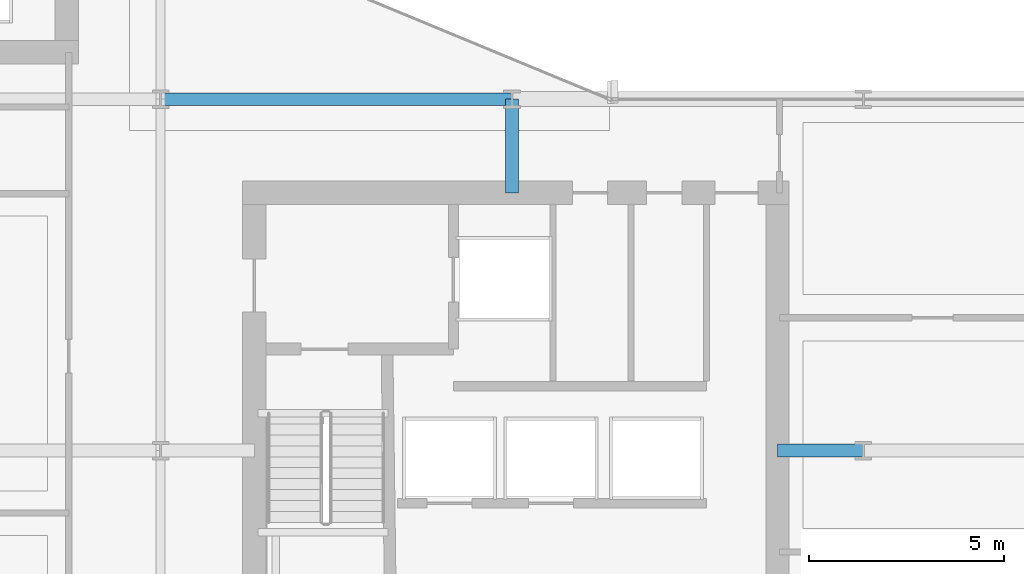
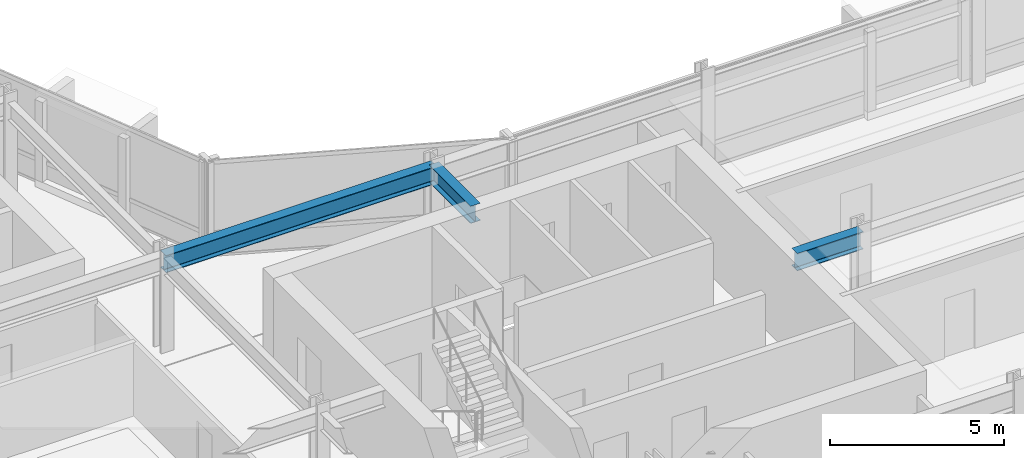
# One storey, part 14 of 34: 3 beams.
"""IFC4 building model written with IfcOpenShell, lengths in metres."""

from ifc_helpers import new_model, si_unit, direction, frame, origin, origin_2d, place, context, subcontext, project, spatial, i_section, extrude, material, material_profile, profile_set, type_object, element, save


model = new_model("IFC4")

# Units and contexts
model_context = context("Model", 3, precision=1e-05, world=origin(), true_north=direction((0.0, 1.0)))
body_context = subcontext(model_context, "Body", "Model", "MODEL_VIEW")
ifc_project = project(units=[si_unit("LENGTHUNIT", "METRE"), si_unit("AREAUNIT", "SQUARE_METRE"), si_unit("VOLUMEUNIT", "CUBIC_METRE"), si_unit("PLANEANGLEUNIT", "RADIAN"), si_unit("MASSUNIT", "GRAM", prefix="KILO")], contexts=[model_context])

# Site, building, storey
site_placement = place(None, origin())
site = spatial("IfcSite", under=ifc_project, at=site_placement, CompositionType="ELEMENT")
building_placement = place(site_placement, origin())
building = spatial("IfcBuilding", under=site, at=building_placement, Name="Solvaryn Broadcast Tower", CompositionType="ELEMENT")
storey_placement = place(building_placement, frame((0.0, 0.0, 96.5)))
storey = spatial("IfcBuildingStorey", under=building, at=storey_placement, Name="L23", CompositionType="ELEMENT", Elevation=96.5)

# Beams
ifc_material = material(Name="Steel ASTM A992 Grade 50", Category="steel")
ifc_material_profile = material_profile(ifc_material, i_section(OverallWidth=0.323974609375, OverallDepth=0.611083984375, WebThickness=0.0126953125, FlangeThickness=0.01904296875, FilletRadius=0.014892578125, at=origin_2d()))
ifc_profile_set = profile_set([ifc_material_profile], Name="Steel ASTM A992 Grade 50")
beam_type = type_object("IfcBeamType", Name="BM-B1-W24X104", PredefinedType="BEAM", material=ifc_profile_set)
beam_1_placement = place(storey_placement, frame((27.0, 27.0, 3.064453125), z_axis=(1.0, 0.0, 0.0), x_axis=(0.0, 1.0, 0.0)))
element("IfcBeam", 1, at=beam_1_placement, inside=storey, type_object=beam_type, Name="L23 Primary Beam X (27-36 @ Y=27)", PredefinedType="BEAM", context=body_context, shape_type="SweptSolid", body=[
    extrude(i_section(OverallWidth=0.323974609375, OverallDepth=0.611083984375, WebThickness=0.0126953125, FlangeThickness=0.01904296875, FilletRadius=0.014892578125, at=origin_2d()), origin(), (0.0, 0.0, 1.0), 9.0),
])
beam_2_placement = place(storey_placement, frame((36.0, 24.60009765625, 3.064453125), z_axis=(0.0, 1.0, 0.0), x_axis=(-1.0, 0.0, 0.0)))
element("IfcBeam", 2, at=beam_2_placement, inside=storey, type_object=beam_type, Name="L23 Core Tie Beam CTE2", PredefinedType="BEAM", context=body_context, shape_type="SweptSolid", body=[
    extrude(i_section(OverallWidth=0.323974609375, OverallDepth=0.611083984375, WebThickness=0.0126953125, FlangeThickness=0.01904296875, FilletRadius=0.014892578125, at=origin_2d()), origin(), (0.0, 0.0, 1.0), 2.39990234375),
])
beam_3_placement = place(storey_placement, frame((42.800048828125, 18.0, 3.064453125), z_axis=(1.0, 0.0, 0.0), x_axis=(0.0, 1.0, 0.0)))
element("IfcBeam", 3, at=beam_3_placement, inside=storey, type_object=beam_type, Name="L23 Core Tie Beam CTE3", PredefinedType="BEAM", context=body_context, shape_type="SweptSolid", body=[
    extrude(i_section(OverallWidth=0.323974609375, OverallDepth=0.611083984375, WebThickness=0.0126953125, FlangeThickness=0.01904296875, FilletRadius=0.014892578125, at=origin_2d()), origin(), (0.0, 0.0, 1.0), 2.199951171875),
])

save(model, "model.ifc")
